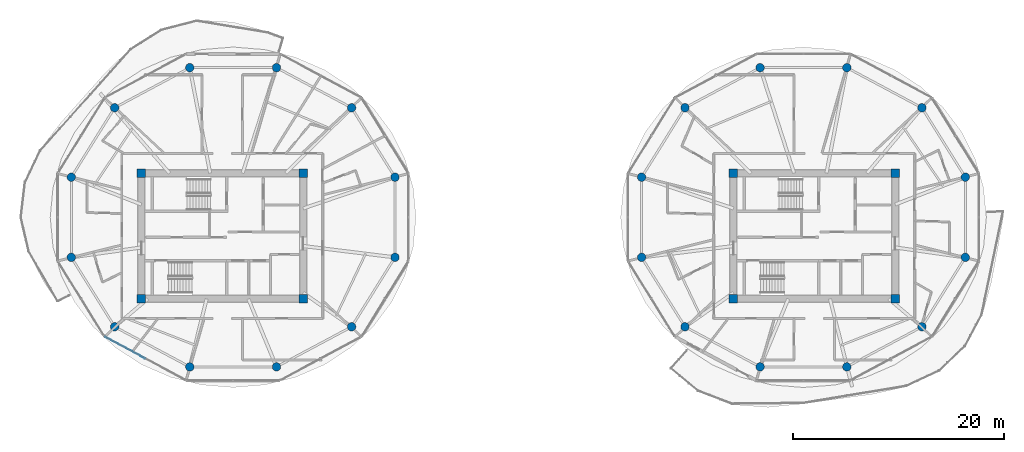
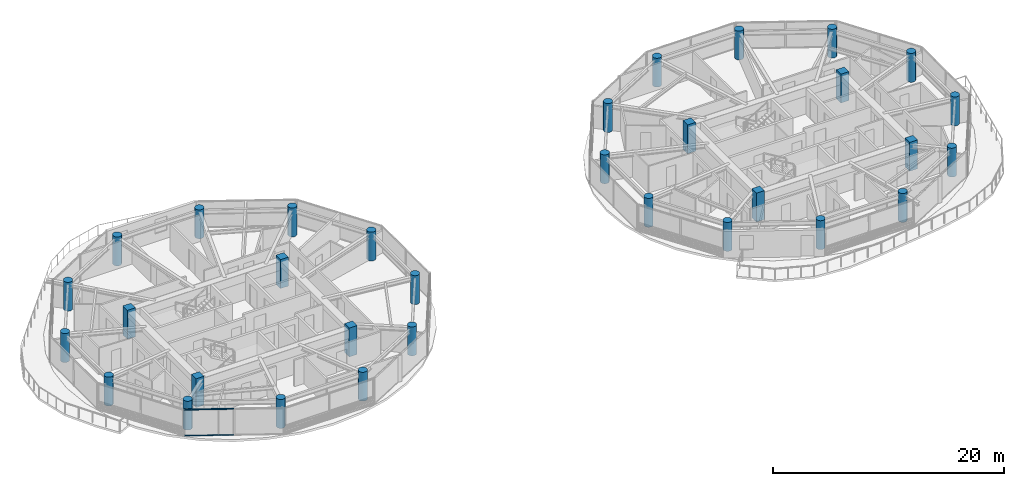
# One storey, part 1 of 24: 32 columns, 2 members, 1 element without a shape of its own.
"""IFC4 building model written with IfcOpenShell, lengths in metres."""

from ifc_helpers import new_model, si_unit, direction, frame, origin, origin_2d, place, context, subcontext, project, spatial, rectangle, circle, extrude, source, transform, mapped, material, layer, layer_set, material_profile, profile_set, type_object, type_shapes, element, aggregate, save


model = new_model("IFC4")

# Units and contexts
model_context = context("Model", 3, precision=1e-05, world=origin(), true_north=direction((0.0, 1.0)))
body_context = subcontext(model_context, "Body", "Model", "MODEL_VIEW")
ifc_project = project(units=[si_unit("LENGTHUNIT", "METRE"), si_unit("AREAUNIT", "SQUARE_METRE"), si_unit("VOLUMEUNIT", "CUBIC_METRE"), si_unit("PLANEANGLEUNIT", "RADIAN"), si_unit("MASSUNIT", "GRAM", prefix="KILO")], contexts=[model_context])

# Site, building, storey
site_placement = place(None, origin())
site = spatial("IfcSite", under=ifc_project, at=site_placement, CompositionType="ELEMENT")
building_placement = place(site_placement, origin())
building = spatial("IfcBuilding", under=site, at=building_placement, Name="Norrkilde Senior Care Towers", CompositionType="ELEMENT")
storey_placement = place(building_placement, frame((0.0, 0.0, 155.64990234375)))
storey = spatial("IfcBuildingStorey", under=building, at=storey_placement, Name="L48", CompositionType="ELEMENT", Elevation=155.64990234375)

# Columns
ifc_material_1 = material(Name="Concrete C60/75", Category="concrete")
ifc_material_profile_1 = material_profile(ifc_material_1, rectangle(XDim=0.800048828125, YDim=0.800048828125, at=origin_2d()), Name="RC COL 800x800")
ifc_profile_set_1 = profile_set([ifc_material_profile_1], Name="Concrete C60/75")
column_type_1 = type_object("IfcColumnType", Name="Column Core Corner Z3-Z4 800", PredefinedType="COLUMN", material=ifc_profile_set_1)
shared_shape_1 = source(origin(), body_context, "Body", "SweptSolid", [
    extrude(rectangle(XDim=0.800048828125, YDim=0.800048828125, at=origin_2d()), origin(), (0.0, 0.0, 1.0), 3.050048828125),
])
type_shapes(column_type_1, [shared_shape_1])
for number, where, z_axis, x_axis, name in (
    (1, (-35.64990234375, -5.949951171875, 0.0), (0.0, 0.0, 1.0), (1.0, 0.0, 0.0), "L48 Core W Corner Column 1"),
    (2, (-20.35009765625, -5.949951171875, 0.0), (0.0, 0.0, 1.0), (1.0, 0.0, 0.0), "L48 Core W Corner Column 2"),
    (3, (-20.35009765625, 5.949951171875, 0.0), (0.0, 0.0, 1.0), (1.0, 0.0, 0.0), "L48 Core W Corner Column 3"),
    (4, (-35.64990234375, 5.949951171875, 0.0), (0.0, 0.0, 1.0), (1.0, 0.0, 0.0), "L48 Core W Corner Column 4"),
    (5, (20.35009765625, -5.949951171875, 0.0), (0.0, 0.0, 1.0), (1.0, 0.0, 0.0), "L48 Core E Corner Column 1"),
    (6, (35.64990234375, -5.949951171875, 0.0), (0.0, 0.0, 1.0), (1.0, 0.0, 0.0), "L48 Core E Corner Column 2"),
    (7, (35.64990234375, 5.949951171875, 0.0), (0.0, 0.0, 1.0), (1.0, 0.0, 0.0), "L48 Core E Corner Column 3"),
    (8, (20.35009765625, 5.949951171875, 0.0), (0.0, 0.0, 1.0), (1.0, 0.0, 0.0), "L48 Core E Corner Column 4"),
):
    element("IfcColumn", number, at=place(storey_placement, frame(where, z_axis=z_axis, x_axis=x_axis)), inside=storey, type_object=column_type_1, Name=name, PredefinedType="COLUMN", context=body_context, shape_type="MappedRepresentation", body=[
        mapped(shared_shape_1, transform((0.0, 0.0, 0.0), x_axis=(1.0, 0.0, 0.0), y_axis=(0.0, 1.0, 0.0), z_axis=(0.0, 0.0, 1.0), scale=1.0)),
    ])
ifc_material_2 = material(Name="Concrete C50/60", Category="concrete")
ifc_material_profile_2 = material_profile(ifc_material_2, circle(Radius=0.39990234375, at=origin_2d()), Name="RC CIR 800")
ifc_profile_set_2 = profile_set([ifc_material_profile_2], Name="Concrete C50/60")
column_type_2 = type_object("IfcColumnType", Name="Column Perimeter Z3 800", PredefinedType="COLUMN", material=ifc_profile_set_2)
shared_shape_2 = source(origin(), body_context, "Body", "SweptSolid", [
    extrude(circle(Radius=0.39990234375, at=origin_2d()), origin(), (0.0, 0.0, 1.0), 3.050048828125),
])
type_shapes(column_type_2, [shared_shape_2])
for number, where, z_axis, x_axis, name in (
    (9, (-11.6650390625, 5.567138671875, 0.0), (0.0, 0.0, 1.0), (1.0, 0.0, 0.0), "L48 Drum W Perimeter Column 01"),
    (10, (-15.767333984375, 12.134521484375, 0.0), (0.0, 0.0, 1.0), (1.0, 0.0, 0.0), "L48 Drum W Perimeter Column 02"),
    (11, (-22.872802734375, 15.92626953125, 0.0), (0.0, 0.0, 1.0), (1.0, 0.0, 0.0), "L48 Drum W Perimeter Column 03"),
    (12, (-31.077392578125, 15.92626953125, 0.0), (0.0, 0.0, 1.0), (1.0, 0.0, 0.0), "L48 Drum W Perimeter Column 04"),
    (13, (-38.1826171875, 12.134521484375, 0.0), (0.0, 0.0, 1.0), (1.0, 0.0, 0.0), "L48 Drum W Perimeter Column 05"),
    (14, (-42.284912109375, 5.567138671875, 0.0), (0.0, 0.0, 1.0), (1.0, 0.0, 0.0), "L48 Drum W Perimeter Column 06"),
    (15, (-42.284912109375, -2.016357421875, 0.0), (0.0, 0.0, 1.0), (1.0, 0.0, 0.0), "L48 Drum W Perimeter Column 07"),
    (16, (-38.1826171875, -8.583740234375, 0.0), (0.0, 0.0, 1.0), (1.0, 0.0, 0.0), "L48 Drum W Perimeter Column 08"),
    (17, (-31.077392578125, -12.37548828125, 0.0), (0.0, 0.0, 1.0), (1.0, 0.0, 0.0), "L48 Drum W Perimeter Column 09"),
    (18, (-22.872802734375, -12.37548828125, 0.0), (0.0, 0.0, 1.0), (1.0, 0.0, 0.0), "L48 Drum W Perimeter Column 10"),
    (19, (-15.767333984375, -8.583740234375, 0.0), (0.0, 0.0, 1.0), (1.0, 0.0, 0.0), "L48 Drum W Perimeter Column 11"),
    (20, (-11.6650390625, -2.016357421875, 0.0), (0.0, 0.0, 1.0), (1.0, 0.0, 0.0), "L48 Drum W Perimeter Column 12"),
    (21, (42.284912109375, 5.567138671875, 0.0), (0.0, 0.0, 1.0), (1.0, 0.0, 0.0), "L48 Drum E Perimeter Column 01"),
    (22, (38.1826171875, 12.134521484375, 0.0), (0.0, 0.0, 1.0), (1.0, 0.0, 0.0), "L48 Drum E Perimeter Column 02"),
    (23, (31.077392578125, 15.92626953125, 0.0), (0.0, 0.0, 1.0), (1.0, 0.0, 0.0), "L48 Drum E Perimeter Column 03"),
    (24, (22.872802734375, 15.92626953125, 0.0), (0.0, 0.0, 1.0), (1.0, 0.0, 0.0), "L48 Drum E Perimeter Column 04"),
    (25, (15.767333984375, 12.134521484375, 0.0), (0.0, 0.0, 1.0), (1.0, 0.0, 0.0), "L48 Drum E Perimeter Column 05"),
    (26, (11.6650390625, 5.567138671875, 0.0), (0.0, 0.0, 1.0), (1.0, 0.0, 0.0), "L48 Drum E Perimeter Column 06"),
    (27, (11.6650390625, -2.016357421875, 0.0), (0.0, 0.0, 1.0), (1.0, 0.0, 0.0), "L48 Drum E Perimeter Column 07"),
    (28, (15.767333984375, -8.583740234375, 0.0), (0.0, 0.0, 1.0), (1.0, 0.0, 0.0), "L48 Drum E Perimeter Column 08"),
    (29, (22.872802734375, -12.37548828125, 0.0), (0.0, 0.0, 1.0), (1.0, 0.0, 0.0), "L48 Drum E Perimeter Column 09"),
    (30, (31.077392578125, -12.37548828125, 0.0), (0.0, 0.0, 1.0), (1.0, 0.0, 0.0), "L48 Drum E Perimeter Column 10"),
    (31, (38.1826171875, -8.583740234375, 0.0), (0.0, 0.0, 1.0), (1.0, 0.0, 0.0), "L48 Drum E Perimeter Column 11"),
    (32, (42.284912109375, -2.016357421875, 0.0), (0.0, 0.0, 1.0), (1.0, 0.0, 0.0), "L48 Drum E Perimeter Column 12"),
):
    element("IfcColumn", number, at=place(storey_placement, frame(where, z_axis=z_axis, x_axis=x_axis)), inside=storey, type_object=column_type_2, Name=name, PredefinedType="COLUMN", context=body_context, shape_type="MappedRepresentation", body=[
        mapped(shared_shape_2, transform((0.0, 0.0, 0.0), x_axis=(1.0, 0.0, 0.0), y_axis=(0.0, 1.0, 0.0), z_axis=(0.0, 0.0, 1.0), scale=1.0)),
    ])

# Curtain wall, members
ifc_material_3 = material(Name="Triple Low-E Insulated Glazing", Category="glass")
ifc_layer = layer(ifc_material_3, 0.18994140625)
ifc_layer_set = layer_set([ifc_layer], Name="Triple Low-E Insulated Glazing")
curtain_wall_type = type_object("IfcCurtainWallType", Name="CW4 Zone 3 Senior Residence Curtain Wall", PredefinedType="NOTDEFINED", material=ifc_layer_set)
curtain_wall_placement = place(storey_placement, origin())
curtain_wall = element("IfcCurtainWall", 33, at=curtain_wall_placement, inside=storey, type_object=curtain_wall_type, Name="L48 Drum W Curtain Wall 07", PredefinedType="NOTDEFINED")
ifc_material_4 = material(Name="Anodised Aluminium", Category="aluminium")
ifc_material_profile_3 = material_profile(ifc_material_4, rectangle(XDim=0.06005859375, YDim=0.1201171875, at=origin_2d()), Name="ALU TRAN 60x120")
ifc_profile_set_3 = profile_set([ifc_material_profile_3], Name="Anodised Aluminium")
member_type = type_object("IfcMemberType", Name="Curtain Wall Transom Typical 60x120", PredefinedType="USERDEFINED", material=ifc_profile_set_3)
shared_shape_3 = source(origin(), body_context, "Body", "SweptSolid", [
    extrude(rectangle(XDim=0.06005859375, YDim=0.1201171875, at=origin_2d()), origin(), (0.0, 0.0, 1.0), 4.2734375),
])
type_shapes(member_type, [shared_shape_3])
member_1_placement = place(storey_placement, frame((-35.301025390625, -11.576904296875, 0.030029296875), z_axis=(-0.880986050649, 0.47314223925, 0.0), x_axis=(-0.47314223925, -0.880986050649, 0.0)))
member_1 = element("IfcMember", 34, at=member_1_placement, type_object=member_type, Name="CW-4 transom 2.1", ObjectType="TRANSOM", PredefinedType="USERDEFINED", context=body_context, shape_type="MappedRepresentation", body=[
    mapped(shared_shape_3, transform((0.0, 0.0, 0.0), x_axis=(1.0, 0.0, 0.0), y_axis=(0.0, 1.0, 0.0), z_axis=(0.0, 0.0, 1.0), scale=1.0)),
])
member_2_placement = place(storey_placement, frame((-35.301025390625, -11.576904296875, 2.780029296875), z_axis=(-0.880986050649, 0.47314223925, 0.0), x_axis=(-0.47314223925, -0.880986050649, 0.0)))
member_2 = element("IfcMember", 35, at=member_2_placement, type_object=member_type, Name="CW-4 transom 2.2", ObjectType="TRANSOM", PredefinedType="USERDEFINED", context=body_context, shape_type="MappedRepresentation", body=[
    mapped(shared_shape_3, transform((0.0, 0.0, 0.0), x_axis=(1.0, 0.0, 0.0), y_axis=(0.0, 1.0, 0.0), z_axis=(0.0, 0.0, 1.0), scale=1.0)),
])
aggregate(curtain_wall, [member_1, member_2])

save(model, "model.ifc")
